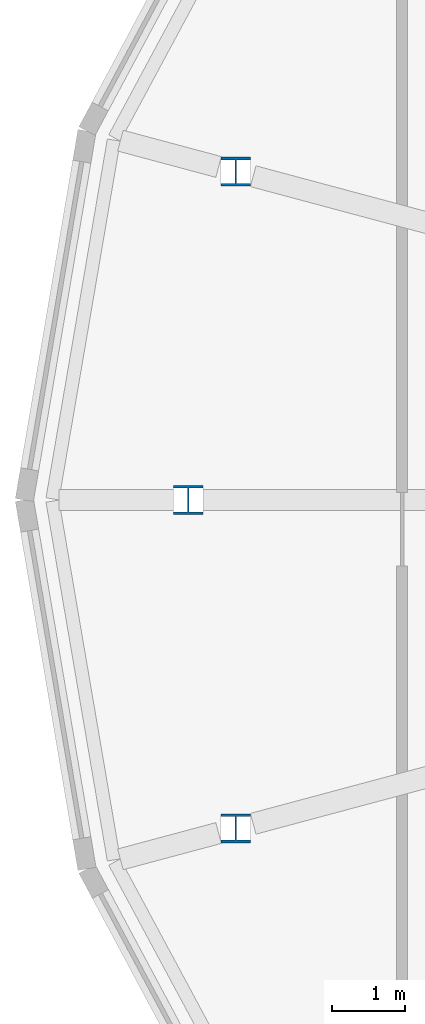
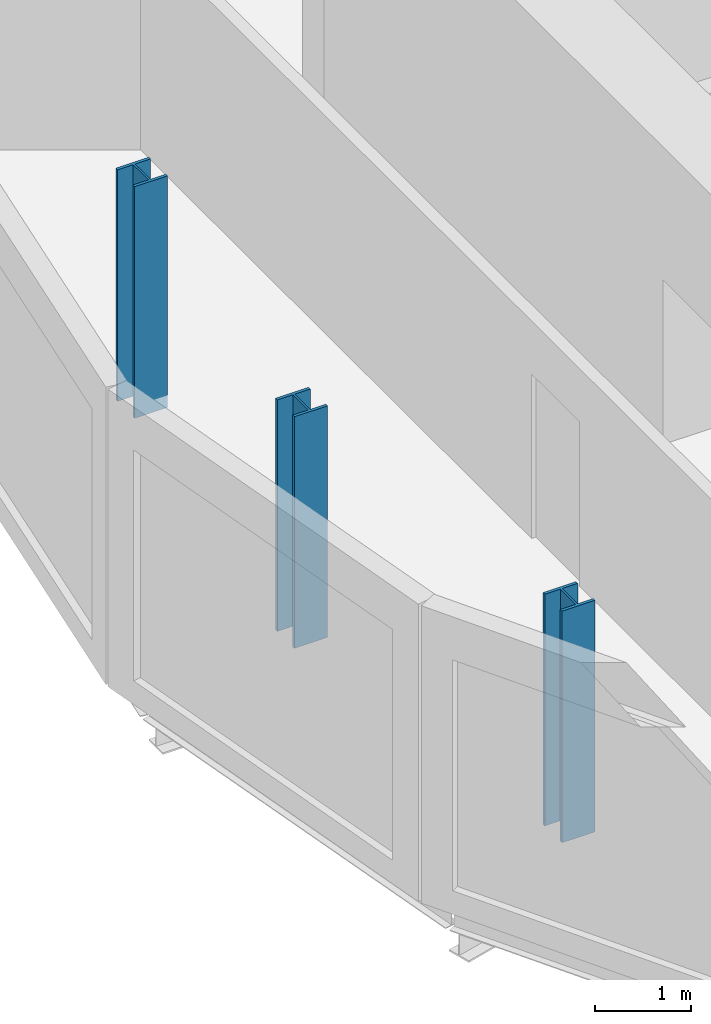
# One storey, part 1 of 37: 3 columns.
"""IFC4 building model written with IfcOpenShell, lengths in metres."""

from ifc_helpers import new_model, si_unit, direction, frame, origin, origin_2d, place, context, subcontext, project, spatial, i_section, extrude, material, material_profile, profile_set, type_object, element, save


model = new_model("IFC4")

# Units and contexts
model_context = context("Model", 3, precision=1e-05, world=origin(), true_north=direction((0.0, 1.0)))
body_context = subcontext(model_context, "Body", "Model", "MODEL_VIEW")
ifc_project = project(units=[si_unit("LENGTHUNIT", "METRE"), si_unit("AREAUNIT", "SQUARE_METRE"), si_unit("VOLUMEUNIT", "CUBIC_METRE"), si_unit("PLANEANGLEUNIT", "RADIAN"), si_unit("MASSUNIT", "GRAM", prefix="KILO")], contexts=[model_context])

# Site, building, storey
site_placement = place(None, origin())
site = spatial("IfcSite", under=ifc_project, at=site_placement, CompositionType="ELEMENT")
building_placement = place(site_placement, origin())
building = spatial("IfcBuilding", under=site, at=building_placement, Name="Rimbun Link Towers", CompositionType="ELEMENT")
storey_placement = place(building_placement, frame((0.0, 0.0, 45.199951171875)))
storey = spatial("IfcBuildingStorey", under=building, at=storey_placement, Name="L10", CompositionType="ELEMENT", Elevation=45.199951171875)

# Columns
ifc_material = material(Name="Steel S355J2", Category="steel")
ifc_material_profile = material_profile(ifc_material, i_section(OverallWidth=0.39892578125, OverallDepth=0.3935546875, WebThickness=0.022705078125, FlangeThickness=0.03662109375, at=origin_2d()), Name="UC 356x406x287")
ifc_profile_set = profile_set([ifc_material_profile], Name="Steel S355J2")
column_type = type_object("IfcColumnType", Name="UC 356x406x287", PredefinedType="COLUMN", material=ifc_profile_set)
for number, where, z_axis, x_axis, name in (
    (1, (-48.438232421875, 4.4716796875, -0.159912109375), (0.0, 0.0, 1.0), (1.0, 0.0, 0.0), "Crease post T1 L10 11"),
    (2, (-49.0888671875, 0.0, -0.159912109375), (0.0, 0.0, 1.0), (1.0, 0.0, 0.0), "Crease post T1 L10 12"),
    (3, (-48.438232421875, -4.4716796875, -0.159912109375), (0.0, 0.0, 1.0), (1.0, 0.0, 0.0), "Crease post T1 L10 13"),
):
    element("IfcColumn", number, at=place(storey_placement, frame(where, z_axis=z_axis, x_axis=x_axis)), inside=storey, type_object=column_type, Name=name, PredefinedType="COLUMN", context=body_context, shape_type="SweptSolid", body=[
        extrude(i_section(OverallWidth=0.39892578125, OverallDepth=0.3935546875, WebThickness=0.022705078125, FlangeThickness=0.03662109375, at=origin_2d()), origin(), (0.0, 0.0, 1.0), 2.959228515625),
    ])

save(model, "model.ifc")
